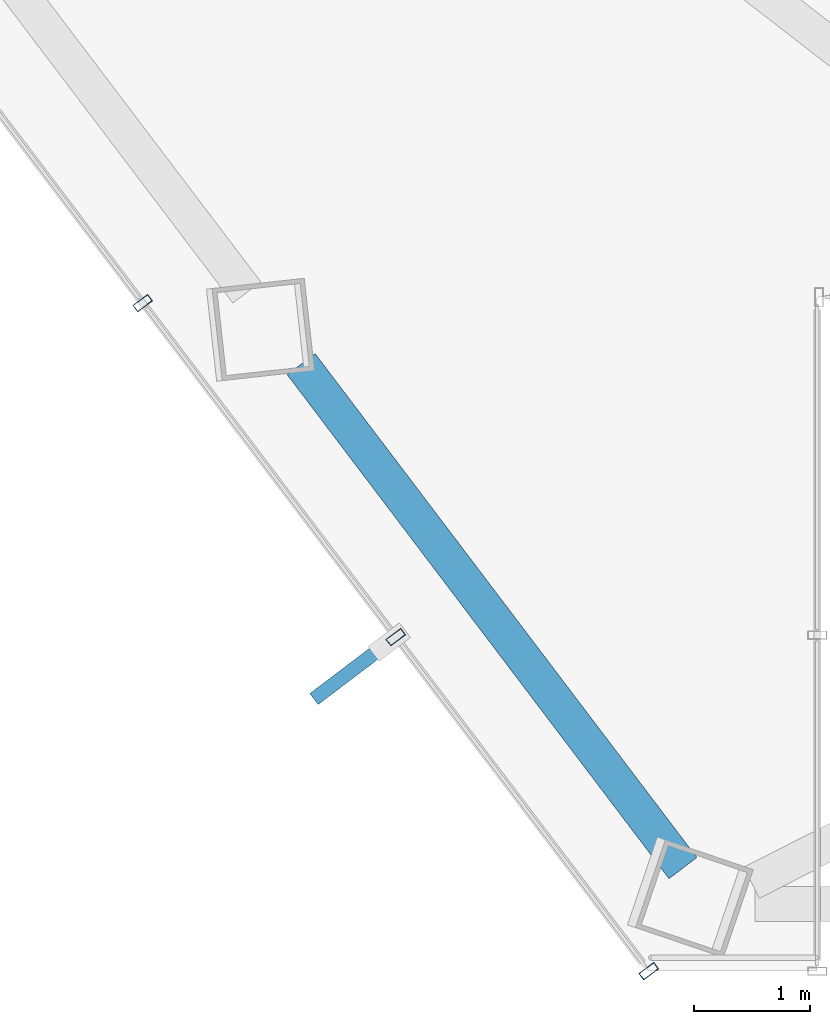
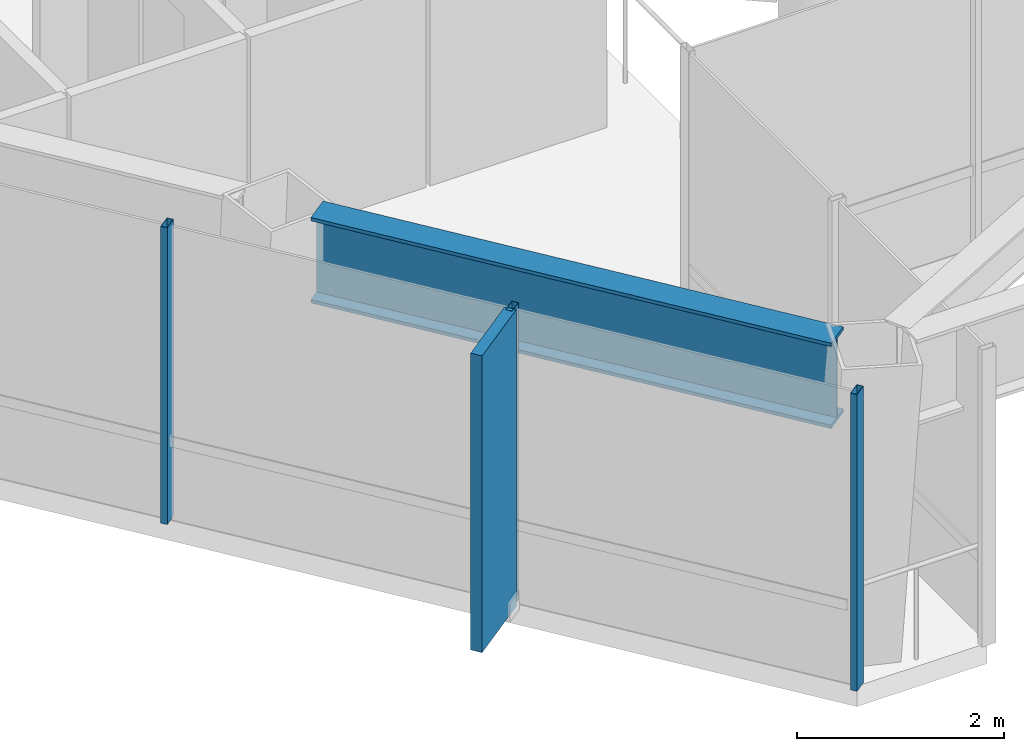
# One storey, part 2 of 30: 4 members, 1 beam, 1 element without a shape of its own.
"""IFC4 building model written with IfcOpenShell, lengths in metres."""

from ifc_helpers import new_model, si_unit, direction, frame, origin, origin_2d, place, context, subcontext, project, spatial, rectangle, hollow_rectangle, i_section, extrude, material, layer, layer_set, material_profile, profile_set, type_object, element, aggregate, save


model = new_model("IFC4")

# Units and contexts
model_context = context("Model", 3, precision=1e-05, world=origin(), true_north=direction((0.0, 1.0)))
body_context = subcontext(model_context, "Body", "Model", "MODEL_VIEW")
ifc_project = project(units=[si_unit("LENGTHUNIT", "METRE"), si_unit("AREAUNIT", "SQUARE_METRE"), si_unit("VOLUMEUNIT", "CUBIC_METRE"), si_unit("PLANEANGLEUNIT", "RADIAN"), si_unit("MASSUNIT", "GRAM", prefix="KILO")], contexts=[model_context])

# Site, building, storey
site_placement = place(None, origin())
site = spatial("IfcSite", under=ifc_project, at=site_placement, CompositionType="ELEMENT")
building_placement = place(site_placement, origin())
building = spatial("IfcBuilding", under=site, at=building_placement, Name="Zarrinselat Tower", CompositionType="ELEMENT")
storey_placement = place(building_placement, frame((0.0, 0.0, 160.820068359375)))
storey = spatial("IfcBuildingStorey", under=building, at=storey_placement, Name="L39", CompositionType="ELEMENT", Elevation=160.820068359375)

# Beam
ifc_material_1 = material(Name="Steel S460M", Category="steel")
ifc_material_profile_1 = material_profile(ifc_material_1, i_section(OverallWidth=0.302001953125, OverallDepth=1.008056640625, WebThickness=0.02099609375, FlangeThickness=0.0400390625, at=origin_2d()), Name="HEM 1000")
ifc_profile_set_1 = profile_set([ifc_material_profile_1], Name="Steel S460M")
beam_type = type_object("IfcBeamType", Name="BM-HEM1000", PredefinedType="BEAM", material=ifc_profile_set_1)
beam_placement = place(storey_placement, frame((27.531982421875, 22.9609375, 2.995849609375), z_axis=(0.60388095137, -0.797074523851, 0.0), x_axis=(0.797074523851, 0.60388095137, 0.0)))
element("IfcBeam", 1, at=beam_placement, inside=storey, type_object=beam_type, Name="L39 Perimeter Spandrel Girder SP09", PredefinedType="BEAM", context=body_context, shape_type="SweptSolid", body=[
    extrude(i_section(OverallWidth=0.302001953125, OverallDepth=1.008056640625, WebThickness=0.02099609375, FlangeThickness=0.0400390625, at=origin_2d()), origin(), (0.0, 0.0, 1.0), 5.455322265625),
])

# Curtain wall, members
ifc_material_2 = material(Name="Extruded Aluminium Alloy EN AW-6063 T6", Category="aluminium")
ifc_layer = layer(ifc_material_2, 0.175048828125)
ifc_layer_set = layer_set([ifc_layer], Name="Extruded Aluminium Alloy EN AW-6063 T6")
curtain_wall_type = type_object("IfcCurtainWallType", Name="CWS-HTL", PredefinedType="NOTDEFINED", material=ifc_layer_set)
curtain_wall_placement = place(storey_placement, origin())
curtain_wall = element("IfcCurtainWall", 2, at=curtain_wall_placement, inside=storey, type_object=curtain_wall_type, Name="L39 Unitised Curtain Wall CW-L39-E01", PredefinedType="NOTDEFINED")
ifc_material_3 = material(Name="Extruded Aluminium Alloy EN AW-6063 T6", Category="aluminium")
ifc_material_profile_2 = material_profile(ifc_material_3, hollow_rectangle(XDim=0.070068359375, YDim=0.159912109375, WallThickness=0.00390625, at=origin_2d()), Name="RHS 160x70x4")
ifc_profile_set_2 = profile_set([ifc_material_profile_2], Name="Extruded Aluminium Alloy EN AW-6063 T6")
member_type_1 = type_object("IfcMemberType", Name="MEM-CW-MUL2", PredefinedType="MULLION", material=ifc_profile_set_2)
member_1_placement = place(storey_placement, frame((30.53125, 17.723388671875, 0.0), z_axis=(0.0, 0.0, 1.0), x_axis=(-0.603857992276, 0.797091917639, 0.0)))
member_1 = element("IfcMember", 3, at=member_1_placement, type_object=member_type_1, Name="CW-L39-E01 Mullion 0", PredefinedType="MULLION", context=body_context, shape_type="SweptSolid", body=[
    extrude(hollow_rectangle(XDim=0.070068359375, YDim=0.159912109375, WallThickness=0.00390625, at=origin_2d()), origin(), (0.0, 0.0, 1.0), 3.5),
])
member_2_placement = place(storey_placement, frame((28.347900390625, 20.60546875, 0.0), z_axis=(0.0, 0.0, 1.0), x_axis=(-0.603857992276, 0.797091917639, 0.0)))
member_2 = element("IfcMember", 4, at=member_2_placement, type_object=member_type_1, Name="CW-L39-E01 Mullion 1", PredefinedType="MULLION", context=body_context, shape_type="SweptSolid", body=[
    extrude(hollow_rectangle(XDim=0.070068359375, YDim=0.159912109375, WallThickness=0.00390625, at=origin_2d()), origin(), (0.0, 0.0, 1.0), 3.5),
])
member_3_placement = place(storey_placement, frame((26.16455078125, 23.487548828125, 0.0), z_axis=(0.0, 0.0, 1.0), x_axis=(-0.603857992276, 0.797091917639, 0.0)))
member_3 = element("IfcMember", 5, at=member_3_placement, type_object=member_type_1, Name="CW-L39-E01 Mullion 2", PredefinedType="MULLION", context=body_context, shape_type="SweptSolid", body=[
    extrude(hollow_rectangle(XDim=0.070068359375, YDim=0.159912109375, WallThickness=0.00390625, at=origin_2d()), origin(), (0.0, 0.0, 1.0), 3.5),
])
ifc_material_4 = material(Name="Honed Cream Travertine Stone", Category="masonry")
ifc_material_profile_3 = material_profile(ifc_material_4, rectangle(XDim=0.1201171875, YDim=0.85009765625, at=origin_2d()), Name="FIN 850x120")
ifc_profile_set_3 = profile_set([ifc_material_profile_3], Name="Honed Cream Travertine Stone")
member_type_2 = type_object("IfcMemberType", Name="MEM-STONE-FIN", PredefinedType="USERDEFINED", material=ifc_profile_set_3)
member_4_placement = place(storey_placement, frame((27.981201171875, 20.32763671875, 0.0), z_axis=(0.0, 0.0, 1.0), x_axis=(-0.603857992276, 0.797091917639, 0.0)))
member_4 = element("IfcMember", 6, at=member_4_placement, type_object=member_type_2, Name="L39 Stone Shading Fin CW-L39-E01-01", ObjectType="FIN", PredefinedType="USERDEFINED", context=body_context, shape_type="SweptSolid", body=[
    extrude(rectangle(XDim=0.1201171875, YDim=0.85009765625, at=origin_2d()), origin(), (0.0, 0.0, 1.0), 3.5),
])
aggregate(curtain_wall, [member_1, member_2, member_4, member_3])

save(model, "model.ifc")
